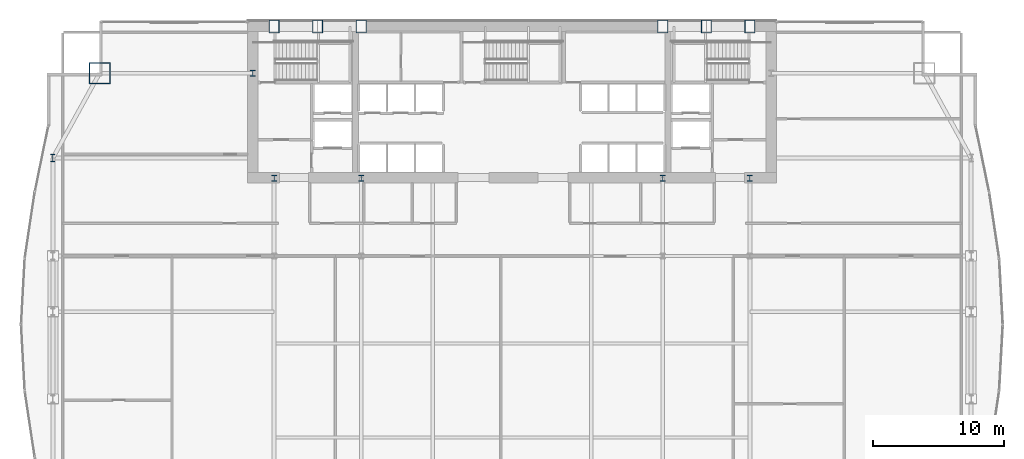
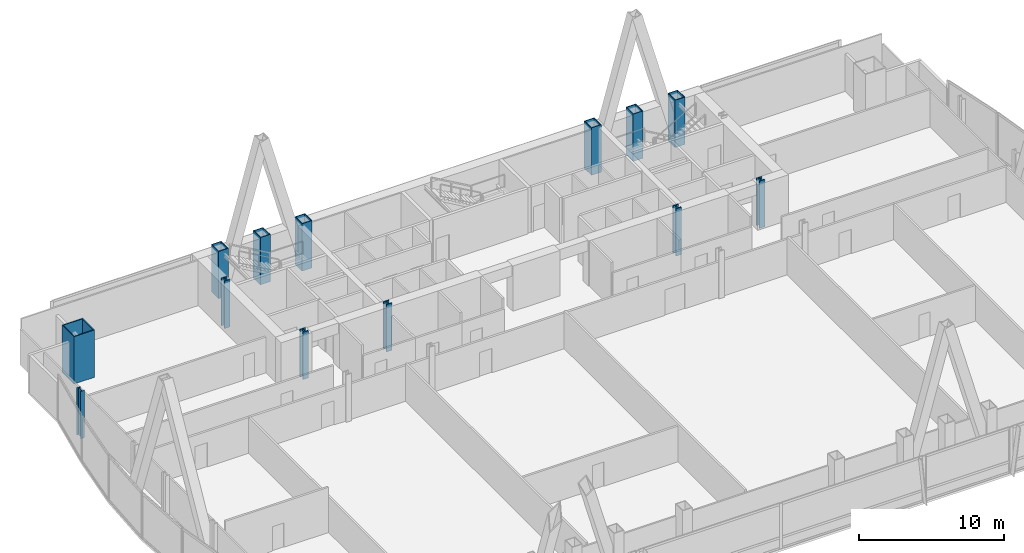
# One storey, part 3 of 36: 13 columns.
"""IFC4 building model written with IfcOpenShell, lengths in metres."""

from ifc_helpers import new_model, si_unit, direction, frame, origin, origin_2d, place, context, subcontext, project, spatial, hollow_rectangle, i_section, extrude, material, material_profile, profile_set, type_object, element, save


model = new_model("IFC4")

# Units and contexts
model_context = context("Model", 3, precision=1e-05, world=origin(), true_north=direction((0.0, 1.0)))
body_context = subcontext(model_context, "Body", "Model", "MODEL_VIEW")
ifc_project = project(units=[si_unit("LENGTHUNIT", "METRE"), si_unit("AREAUNIT", "SQUARE_METRE"), si_unit("VOLUMEUNIT", "CUBIC_METRE"), si_unit("PLANEANGLEUNIT", "RADIAN"), si_unit("MASSUNIT", "GRAM", prefix="KILO")], contexts=[model_context])

# Site, building, storey
site_placement = place(None, origin())
site = spatial("IfcSite", under=ifc_project, at=site_placement, CompositionType="ELEMENT")
building_placement = place(site_placement, origin())
building = spatial("IfcBuilding", under=site, at=building_placement, Name="Khoronbel Lancet Exchange", CompositionType="ELEMENT")
storey_placement = place(building_placement, frame((0.0, 0.0, 49.800048828125)))
storey = spatial("IfcBuildingStorey", under=building, at=storey_placement, Name="L11", CompositionType="ELEMENT", Elevation=49.800048828125)

# Columns
ifc_material_1 = material(Name="Steel S460", Category="steel")
ifc_material_profile_1 = material_profile(ifc_material_1, hollow_rectangle(XDim=0.800048828125, YDim=1.0, WallThickness=0.054931640625, at=origin_2d()), Name="BOX 1000x800x55")
ifc_profile_set_1 = profile_set([ifc_material_profile_1], Name="Steel S460")
column_type_1 = type_object("IfcColumnType", Name="COL-EC1", PredefinedType="COLUMN", material=ifc_profile_set_1)
for number, where, z_axis, x_axis, name in (
    (1, (18.22509765625, 53.280029296875, 0.0), (0.0, 0.0, 1.0), (1.0, 0.0, 0.0), "Structural column NC-W1 L11"),
    (2, (21.5625, 53.280029296875, 0.0), (0.0, 0.0, 1.0), (1.0, 0.0, 0.0), "Structural column NC-WM L11"),
    (3, (24.89990234375, 53.280029296875, 0.0), (0.0, 0.0, 1.0), (1.0, 0.0, 0.0), "Structural column NC-W2 L11"),
    (4, (48.0, 53.280029296875, 0.0), (0.0, 0.0, 1.0), (1.0, 0.0, 0.0), "Structural column NC-E1 L11"),
    (5, (51.33740234375, 53.280029296875, 0.0), (0.0, 0.0, 1.0), (1.0, 0.0, 0.0), "Structural column NC-EM L11"),
    (6, (54.675048828125, 53.280029296875, 0.0), (0.0, 0.0, 1.0), (1.0, 0.0, 0.0), "Structural column NC-E2 L11"),
):
    element("IfcColumn", number, at=place(storey_placement, frame(where, z_axis=z_axis, x_axis=x_axis)), inside=storey, type_object=column_type_1, Name=name, PredefinedType="COLUMN", context=body_context, shape_type="SweptSolid", body=[
        extrude(hollow_rectangle(XDim=0.800048828125, YDim=1.0, WallThickness=0.054931640625, at=origin_2d()), origin(), (0.0, 0.0, 1.0), 4.0),
    ])
ifc_material_profile_2 = material_profile(ifc_material_1, i_section(OverallWidth=0.424072265625, OverallDepth=0.47412109375, WebThickness=0.047607421875, FlangeThickness=0.076904296875, at=origin_2d()), Name="HD 400x634")
ifc_profile_set_2 = profile_set([ifc_material_profile_2], Name="Steel S460")
column_type_2 = type_object("IfcColumnType", Name="COL-IC1", PredefinedType="COLUMN", material=ifc_profile_set_2)
for number, where, z_axis, x_axis, name in (
    (7, (16.60009765625, 49.699951171875, 0.0), (0.0, 0.0, 1.0), (1.0, 0.0, 0.0), "Core-flank plumb transfer column CFW L11"),
    (8, (18.22509765625, 41.64990234375, 0.0), (0.0, 0.0, 1.0), (1.0, 0.0, 0.0), "Core-embedded steel column CTC1 L11"),
    (9, (24.89990234375, 41.64990234375, 0.0), (0.0, 0.0, 1.0), (1.0, 0.0, 0.0), "Core-embedded steel column CTC2 L11"),
    (10, (48.0, 41.64990234375, 0.0), (0.0, 0.0, 1.0), (1.0, 0.0, 0.0), "Core-embedded steel column CTC3 L11"),
    (11, (54.675048828125, 41.64990234375, 0.0), (0.0, 0.0, 1.0), (1.0, 0.0, 0.0), "Core-embedded steel column CTC4 L11"),
):
    element("IfcColumn", number, at=place(storey_placement, frame(where, z_axis=z_axis, x_axis=x_axis)), inside=storey, type_object=column_type_2, Name=name, PredefinedType="COLUMN", context=body_context, shape_type="SweptSolid", body=[
        extrude(i_section(OverallWidth=0.424072265625, OverallDepth=0.47412109375, WebThickness=0.047607421875, FlangeThickness=0.076904296875, at=origin_2d()), origin(), (0.0, 0.0, 1.0), 4.0),
    ])
ifc_material_2 = material(Name="Steel S355", Category="steel")
ifc_material_profile_3 = material_profile(ifc_material_2, i_section(OverallWidth=0.300048828125, OverallDepth=0.550048828125, WebThickness=0.014892578125, FlangeThickness=0.029052734375, at=origin_2d()), Name="HEB 550")
ifc_profile_set_3 = profile_set([ifc_material_profile_3], Name="Steel S355")
column_type_3 = type_object("IfcColumnType", Name="COL-LC1", PredefinedType="COLUMN", material=ifc_profile_set_3)
column_1_placement = place(storey_placement, frame((1.27001953125, 43.199951171875, 0.0), z_axis=(0.0, 0.0, 1.0), x_axis=(1.0, 0.0, 0.0)))
element("IfcColumn", 12, at=column_1_placement, inside=storey, type_object=column_type_3, Name="Structural column WC-4 L11", PredefinedType="COLUMN", context=body_context, shape_type="SweptSolid", body=[
    extrude(i_section(OverallWidth=0.300048828125, OverallDepth=0.550048828125, WebThickness=0.014892578125, FlangeThickness=0.029052734375, at=origin_2d()), origin(), (0.0, 0.0, 1.0), 4.0),
])
ifc_material_profile_4 = material_profile(ifc_material_1, hollow_rectangle(XDim=1.64990234375, YDim=1.64990234375, WallThickness=0.074951171875, at=origin_2d()), Name="BOX 1650x1650x75")
ifc_profile_set_4 = profile_set([ifc_material_profile_4], Name="Steel S460")
column_type_4 = type_object("IfcColumnType", Name="COL-MC2", PredefinedType="COLUMN", material=ifc_profile_set_4)
column_2_placement = place(storey_placement, frame((4.85009765625, 49.699951171875, 0.0), z_axis=(0.0, 0.0, 1.0), x_axis=(1.0, 0.0, 0.0)))
element("IfcColumn", 13, at=column_2_placement, inside=storey, type_object=column_type_4, Name="Structural column MC-NW L11", PredefinedType="COLUMN", context=body_context, shape_type="SweptSolid", body=[
    extrude(hollow_rectangle(XDim=1.64990234375, YDim=1.64990234375, WallThickness=0.074951171875, at=origin_2d()), origin(), (0.0, 0.0, 1.0), 4.0),
])

save(model, "model.ifc")
